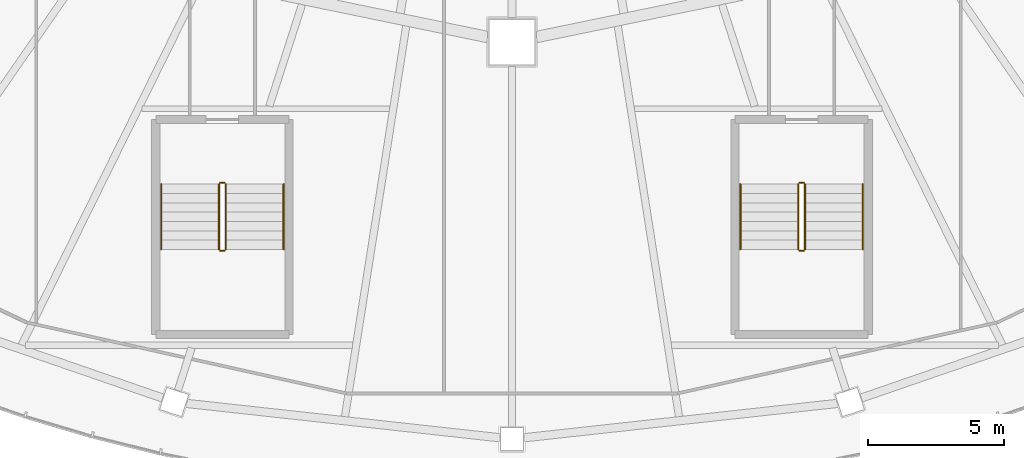
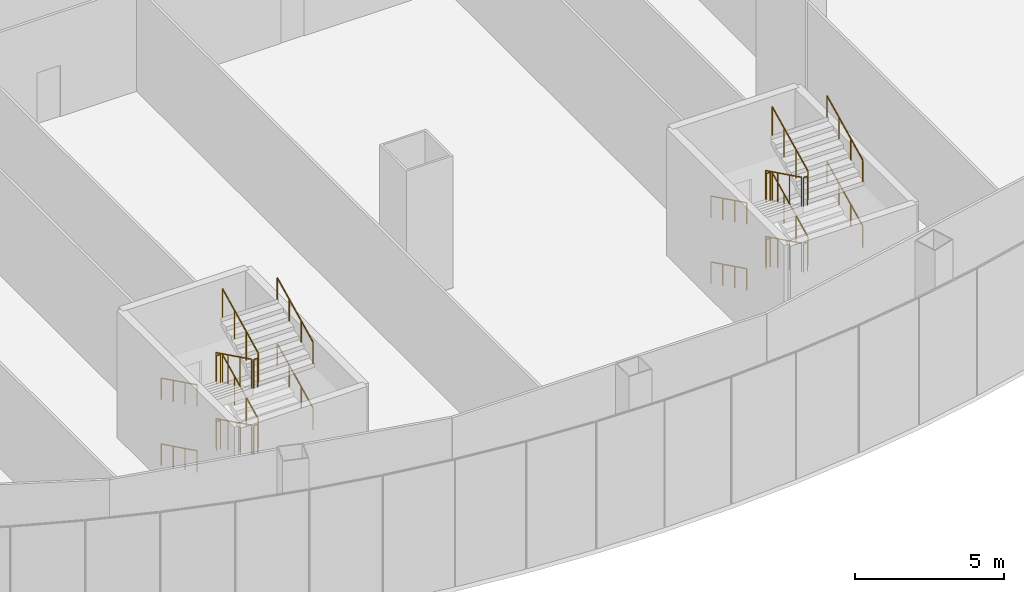
# One storey, part 40 of 42: 24 railings.
"""IFC4 building model written with IfcOpenShell, lengths in metres."""

import ifcopenshell
import ifcopenshell.guid

model = None  # the IFC model being written
_history = None  # IfcOwnerHistory: only IFC2X3 demands one
_inside = {}  # id of a spatial element -> (the spatial element, [elements in it])
_under = {}  # id of a project, library or spatial element -> (it, [spatial elements below it])
_declared = {}  # id of a project -> (the project, [libraries it declares])
_typed = {}  # id of a type object -> (the type object, [elements of that type])
_made_of = {}  # id of a material, layer set ... -> (it, [elements and type objects made of it])


def new_model(schema):
    """Start an empty IFC model of exactly this schema.

    Asked for "IFC4X3", IfcOpenShell would pick the latest addendum, in which some entities
    have other attributes; the version numbers below select the first issue.
    IFC2X3 requires an IfcOwnerHistory on every rooted entity: one is made here for all.
    """
    global model, _history
    if schema == "IFC4X3":
        model = ifcopenshell.file(schema_version=(4, 3, 0, 0))
    else:
        model = ifcopenshell.file(schema=schema)
    _inside.clear()
    _under.clear()
    _declared.clear()
    _typed.clear()
    _made_of.clear()
    _history = None
    if model.schema == "IFC2X3":
        org = make("IfcOrganization", Name="unknown")
        user = make(
            "IfcPersonAndOrganization",
            ThePerson=make("IfcPerson", FamilyName="unknown"),
            TheOrganization=org,
        )
        app = make(
            "IfcApplication",
            ApplicationDeveloper=org,
            Version="unknown",
            ApplicationFullName="unknown",
            ApplicationIdentifier="unknown",
        )
        _history = make(
            "IfcOwnerHistory",
            OwningUser=user,
            OwningApplication=app,
            ChangeAction="ADDED",
            CreationDate=0,
        )
    return model


def make(cls, **values):
    """One entity of the class cls with the attributes given. An attribute that is None is left unset."""
    return model.create_entity(
        cls, **{name: value for name, value in values.items() if value is not None}
    )


def rooted(cls, **values):
    """An entity with a GlobalId (a new one), such as an element, a storey or a relation."""
    return make(cls, GlobalId=ifcopenshell.guid.new(), OwnerHistory=_history, **values)


def si_unit(unit_type, name, prefix=None):
    """IfcSIUnit, for example si_unit("LENGTHUNIT", "METRE", prefix="MILLI")."""
    return make("IfcSIUnit", UnitType=unit_type, Prefix=prefix, Name=name)


def assignment(units):
    """IfcUnitAssignment: the units of a project."""
    return None if units is None else make("IfcUnitAssignment", Units=units)


def point(xyz):
    """IfcCartesianPoint."""
    return None if xyz is None else make("IfcCartesianPoint", Coordinates=xyz)


def direction(xyz):
    """IfcDirection."""
    return None if xyz is None else make("IfcDirection", DirectionRatios=xyz)


def frame(location, z_axis=None, x_axis=None):
    """IfcAxis2Placement3D, a coordinate frame: its origin and axes. An axis left out is left unset."""
    return make(
        "IfcAxis2Placement3D",
        Location=point(location),
        Axis=direction(z_axis),
        RefDirection=direction(x_axis),
    )


def frame_2d(location, x_axis=None):
    """IfcAxis2Placement2D, a coordinate frame in the plane: its origin and x axis."""
    return make(
        "IfcAxis2Placement2D", Location=point(location), RefDirection=direction(x_axis)
    )


def origin():
    """The frame at (0, 0, 0) with its axes left unset."""
    return frame((0.0, 0.0, 0.0))


def origin_2d():
    """The frame at (0, 0) in the plane with its x axis left unset."""
    return frame_2d((0.0, 0.0))


def place(relative_to, where):
    """IfcLocalPlacement: puts the frame where relative to a parent placement (None: the world)."""
    return make(
        "IfcLocalPlacement", PlacementRelTo=relative_to, RelativePlacement=where
    )


def context(
    kind, dimensions, precision=None, world=None, true_north=None, identifier=None
):
    """IfcGeometricRepresentationContext, for example the 3D "Model" context."""
    return make(
        "IfcGeometricRepresentationContext",
        ContextIdentifier=identifier,
        ContextType=kind,
        CoordinateSpaceDimension=dimensions,
        Precision=precision,
        WorldCoordinateSystem=world,
        TrueNorth=true_north,
    )


def subcontext(parent, identifier, kind, view, scale=None):
    """IfcGeometricRepresentationSubContext, for example "Body" below "Model"."""
    return make(
        "IfcGeometricRepresentationSubContext",
        ContextIdentifier=identifier,
        ContextType=kind,
        ParentContext=parent,
        TargetScale=scale,
        TargetView=view,
    )


def project(units=None, contexts=None):
    """IfcProject with its units and contexts."""
    return rooted(
        "IfcProject",
        Name="project",
        RepresentationContexts=contexts,
        UnitsInContext=assignment(units),
    )


def spatial(cls, under=None, at=None, **own):
    """A site, building, storey or space (cls), placed at a placement, below another one or the project."""
    s = rooted(cls, ObjectPlacement=at, **own)
    if under is not None:
        _under.setdefault(under.id(), (under, []))[1].append(s)
    return s


def profile(cls, at=None, kind="AREA", **sizes):
    """A parametric profile (cls). Its sizes go by their IFC names, for example OverallWidth=200.0."""
    return make(cls, ProfileType=kind, Position=at, **sizes)


def circle(**sizes):
    """IfcCircleProfileDef."""
    return profile("IfcCircleProfileDef", **sizes)


def extrude(swept, where, along, depth):
    """IfcExtrudedAreaSolid: the profile swept, set in the frame where, extruded along a direction by depth."""
    return make(
        "IfcExtrudedAreaSolid",
        SweptArea=swept,
        Position=where,
        ExtrudedDirection=direction(along),
        Depth=depth,
    )


def shape(context_of_items, identifier, shape_type, items):
    """IfcShapeRepresentation: the items that make up one representation, for example the "Body"."""
    return make(
        "IfcShapeRepresentation",
        ContextOfItems=context_of_items,
        RepresentationIdentifier=identifier,
        RepresentationType=shape_type,
        Items=items,
    )


def material(Name=None, Category=None):
    """IfcMaterial."""
    return make("IfcMaterial", Name=Name, Category=Category)


def made_of(thing, what):
    """Note that an element or type object is made of a material, layer set ...; save() writes the relation."""
    if what is not None:
        _made_of.setdefault(what.id(), (what, []))[1].append(thing)
    return thing


def type_object(cls, material=None, **own):
    """A type object (cls), such as IfcWallType, which elements share."""
    return made_of(rooted(cls, **own), material)


def element(
    cls,
    number,
    at=None,
    inside=None,
    cuts=None,
    type_object=None,
    material=None,
    context=None,
    identifier="Body",
    shape_type=None,
    held_by="IfcProductDefinitionShape",
    body=None,
    shapes=None,
    **own,
):
    """One element of the class cls, such as IfcWall. Its Tag is "e" and its number.

    at: its placement. inside: the storey or other place that contains it. cuts: it is an
    opening in that element (IfcRelVoidsElement). A single representation is given by context,
    identifier, shape_type and body (its items); several are given by shapes. held_by: the class
    of the entity that holds the representations. save() writes the other relations.
    """
    e = rooted(cls, Tag="e%d" % number, ObjectPlacement=at, **own)
    if body is not None:
        shapes = [shape(context, identifier, shape_type, body)]
    if shapes is not None:
        e.Representation = make(held_by, Representations=shapes)
    if inside is not None:
        _inside.setdefault(inside.id(), (inside, []))[1].append(e)
    if cuts is not None:
        rooted(
            "IfcRelVoidsElement", RelatingBuildingElement=cuts, RelatedOpeningElement=e
        )
    if type_object is not None:
        _typed.setdefault(type_object.id(), (type_object, []))[1].append(e)
    return made_of(e, material)


def aggregate(whole, parts):
    """IfcRelAggregates: a whole, such as a stair, and the parts it consists of."""
    return rooted("IfcRelAggregates", RelatingObject=whole, RelatedObjects=parts)


def save(model, path):
    """Write the relations noted so far, then the file.

    IfcRelAggregates (storeys below a building ...), IfcRelContainedInSpatialStructure (elements
    in a storey), IfcRelDefinesByType, IfcRelAssociatesMaterial and IfcRelDeclares: one each for
    every whole, place, type object, material and project.
    """
    for whole, parts in _under.values():
        aggregate(whole, parts)
    for where, things in _inside.values():
        rooted(
            "IfcRelContainedInSpatialStructure",
            RelatedElements=things,
            RelatingStructure=where,
        )
    for kind, things in _typed.values():
        rooted("IfcRelDefinesByType", RelatedObjects=things, RelatingType=kind)
    for what, things in _made_of.values():
        rooted("IfcRelAssociatesMaterial", RelatedObjects=things, RelatingMaterial=what)
    for by, libraries in _declared.values():
        rooted("IfcRelDeclares", RelatingContext=by, RelatedDefinitions=libraries)
    model.write(path)


model = new_model("IFC4")

# Units and contexts
model_context = context("Model", 3, precision=1e-05, world=origin(), true_north=direction((0.0, 1.0)))
body_context = subcontext(model_context, "Body", "Model", "MODEL_VIEW")
ifc_project = project(units=[si_unit("LENGTHUNIT", "METRE"), si_unit("AREAUNIT", "SQUARE_METRE"), si_unit("VOLUMEUNIT", "CUBIC_METRE"), si_unit("PLANEANGLEUNIT", "RADIAN"), si_unit("MASSUNIT", "GRAM", prefix="KILO")], contexts=[model_context])

# Site, building, storey
site_placement = place(None, origin())
site = spatial("IfcSite", under=ifc_project, at=site_placement, CompositionType="ELEMENT")
building_placement = place(site_placement, origin())
building = spatial("IfcBuilding", under=site, at=building_placement, Name="Sahrelin Media Tower", CompositionType="ELEMENT")
storey_placement = place(building_placement, frame((0.0, 0.0, 26.0)))
storey = spatial("IfcBuildingStorey", under=building, at=storey_placement, Name="L03", CompositionType="ELEMENT", Elevation=26.0)

# Railings
ifc_material = material(Name="Steel S355", Category="steel")
railing_type_1 = type_object("IfcRailingType", Name="Stair guard 1200", PredefinedType="GUARDRAIL", material=ifc_material)
railing_1_placement = place(storey_placement, frame((-10.77490234375, -30.625, 0.168701171875)))
element("IfcRailing", 1, at=railing_1_placement, inside=storey, type_object=railing_type_1, Name="L03 PS3 stair guard 1", PredefinedType="GUARDRAIL", context=body_context, shape_type="SweptSolid", body=[
    extrude(circle(Radius=0.02392578125, at=origin_2d()), frame((0.0, 0.0, 1.17578125), z_axis=(0.0, -0.897184586062, 0.441655769273), x_axis=(1.0, 0.0, 0.0)), (0.0, 0.0, 1.0), 2.6748046875),
    extrude(circle(Radius=0.02099609375, at=origin_2d()), origin(), (0.0, 0.0, 1.0), 1.15185546875),
    extrude(circle(Radius=0.02099609375, at=origin_2d()), frame((0.0, -0.800048828125, 0.393798828125)), (0.0, 0.0, 1.0), 1.15185546875),
    extrude(circle(Radius=0.02099609375, at=origin_2d()), frame((0.0, -1.599853515625, 0.78759765625)), (0.0, 0.0, 1.0), 1.15185546875),
    extrude(circle(Radius=0.02099609375, at=origin_2d()), frame((0.0, -2.39990234375, 1.181396484375)), (0.0, 0.0, 1.0), 1.15185546875),
])
railing_2_placement = place(storey_placement, frame((-10.72509765625, -33.074951171875, 1.35009765625)))
element("IfcRailing", 2, at=railing_2_placement, inside=storey, type_object=railing_type_1, Name="L03 PS3 stair guard 2", PredefinedType="GUARDRAIL", context=body_context, shape_type="SweptSolid", body=[
    extrude(circle(Radius=0.02392578125, at=origin_2d()), frame((0.0, 0.0, 1.17578125), z_axis=(1.0, 0.0, 0.0), x_axis=(0.0, 1.0, 0.0)), (0.0, 0.0, 1.0), 0.150146484375),
    extrude(circle(Radius=0.02099609375, at=origin_2d()), origin(), (0.0, 0.0, 1.0), 1.15185546875),
    extrude(circle(Radius=0.02099609375, at=origin_2d()), frame((0.150146484375, 0.0, 0.0)), (0.0, 0.0, 1.0), 1.15185546875),
])
railing_3_placement = place(storey_placement, frame((-10.52490234375, -33.02490234375, 1.518798828125)))
element("IfcRailing", 3, at=railing_3_placement, inside=storey, type_object=railing_type_1, Name="L03 PS3 stair guard 3", PredefinedType="GUARDRAIL", context=body_context, shape_type="SweptSolid", body=[
    extrude(circle(Radius=0.02392578125, at=origin_2d()), frame((0.0, 0.0, 1.17578125), z_axis=(0.0, 0.897220749972, 0.441582297901), x_axis=(-1.0, 0.0, 0.0)), (0.0, 0.0, 1.0), 2.6748046875),
    extrude(circle(Radius=0.02099609375, at=origin_2d()), origin(), (0.0, 0.0, 1.0), 1.15185546875),
    extrude(circle(Radius=0.02099609375, at=origin_2d()), frame((0.0, 0.800048828125, 0.393798828125)), (0.0, 0.0, 1.0), 1.15185546875),
    extrude(circle(Radius=0.02099609375, at=origin_2d()), frame((0.0, 1.599853515625, 0.787353515625)), (0.0, 0.0, 1.0), 1.15185546875),
    extrude(circle(Radius=0.02099609375, at=origin_2d()), frame((0.0, 2.39990234375, 1.18115234375)), (0.0, 0.0, 1.0), 1.15185546875),
])
railing_4_placement = place(storey_placement, frame((-10.72509765625, -30.574951171875, 2.699951171875)))
element("IfcRailing", 4, at=railing_4_placement, inside=storey, type_object=railing_type_1, Name="L03 PS3 stair guard 4", PredefinedType="GUARDRAIL", context=body_context, shape_type="SweptSolid", body=[
    extrude(circle(Radius=0.02392578125, at=origin_2d()), frame((0.0, 0.0, 1.17578125), z_axis=(1.0, 0.0, 0.0), x_axis=(0.0, 1.0, 0.0)), (0.0, 0.0, 1.0), 0.150146484375),
    extrude(circle(Radius=0.02099609375, at=origin_2d()), origin(), (0.0, 0.0, 1.0), 1.15185546875),
    extrude(circle(Radius=0.02099609375, at=origin_2d()), frame((0.150146484375, 0.0, 0.0)), (0.0, 0.0, 1.0), 1.15185546875),
])
railing_5_placement = place(storey_placement, frame((-10.77490234375, -30.625, 2.86865234375)))
element("IfcRailing", 5, at=railing_5_placement, inside=storey, type_object=railing_type_1, Name="L03 PS3 stair guard 5", PredefinedType="GUARDRAIL", context=body_context, shape_type="SweptSolid", body=[
    extrude(circle(Radius=0.02392578125, at=origin_2d()), frame((0.0, 0.0, 1.17578125), z_axis=(0.0, -0.897184586062, 0.441655769273), x_axis=(1.0, 0.0, 0.0)), (0.0, 0.0, 1.0), 2.6748046875),
    extrude(circle(Radius=0.02099609375, at=origin_2d()), origin(), (0.0, 0.0, 1.0), 1.15185546875),
    extrude(circle(Radius=0.02099609375, at=origin_2d()), frame((0.0, -0.800048828125, 0.393798828125)), (0.0, 0.0, 1.0), 1.15185546875),
    extrude(circle(Radius=0.02099609375, at=origin_2d()), frame((0.0, -1.599853515625, 0.78759765625)), (0.0, 0.0, 1.0), 1.15185546875),
    extrude(circle(Radius=0.02099609375, at=origin_2d()), frame((0.0, -2.39990234375, 1.181396484375)), (0.0, 0.0, 1.0), 1.15185546875),
])
railing_6_placement = place(storey_placement, frame((-10.72509765625, -33.074951171875, 4.050048828125)))
element("IfcRailing", 6, at=railing_6_placement, inside=storey, type_object=railing_type_1, Name="L03 PS3 stair guard 6", PredefinedType="GUARDRAIL", context=body_context, shape_type="SweptSolid", body=[
    extrude(circle(Radius=0.02392578125, at=origin_2d()), frame((0.0, 0.0, 1.17578125), z_axis=(1.0, 0.0, 0.0), x_axis=(0.0, 1.0, 0.0)), (0.0, 0.0, 1.0), 0.150146484375),
    extrude(circle(Radius=0.02099609375, at=origin_2d()), origin(), (0.0, 0.0, 1.0), 1.15185546875),
    extrude(circle(Radius=0.02099609375, at=origin_2d()), frame((0.150146484375, 0.0, 0.0)), (0.0, 0.0, 1.0), 1.15185546875),
])
railing_7_placement = place(storey_placement, frame((-10.52490234375, -33.02490234375, 4.21875)))
element("IfcRailing", 7, at=railing_7_placement, inside=storey, type_object=railing_type_1, Name="L03 PS3 stair guard 7", PredefinedType="GUARDRAIL", context=body_context, shape_type="SweptSolid", body=[
    extrude(circle(Radius=0.02392578125, at=origin_2d()), frame((0.0, 0.0, 1.17578125), z_axis=(0.0, 0.897220749972, 0.441582297901), x_axis=(-1.0, 0.0, 0.0)), (0.0, 0.0, 1.0), 2.6748046875),
    extrude(circle(Radius=0.02099609375, at=origin_2d()), origin(), (0.0, 0.0, 1.0), 1.15185546875),
    extrude(circle(Radius=0.02099609375, at=origin_2d()), frame((0.0, 0.800048828125, 0.393798828125)), (0.0, 0.0, 1.0), 1.15185546875),
    extrude(circle(Radius=0.02099609375, at=origin_2d()), frame((0.0, 1.599853515625, 0.787353515625)), (0.0, 0.0, 1.0), 1.15185546875),
    extrude(circle(Radius=0.02099609375, at=origin_2d()), frame((0.0, 2.39990234375, 1.18115234375)), (0.0, 0.0, 1.0), 1.15185546875),
])
railing_8_placement = place(storey_placement, frame((-10.72509765625, -30.574951171875, 0.0)))
element("IfcRailing", 8, at=railing_8_placement, inside=storey, type_object=railing_type_1, Name="L03 PS3 stair guard 8", PredefinedType="GUARDRAIL", context=body_context, shape_type="SweptSolid", body=[
    extrude(circle(Radius=0.02392578125, at=origin_2d()), frame((0.0, 0.0, 1.17578125), z_axis=(1.0, 0.0, 0.0), x_axis=(0.0, 1.0, 0.0)), (0.0, 0.0, 1.0), 0.150146484375),
    extrude(circle(Radius=0.02099609375, at=origin_2d()), origin(), (0.0, 0.0, 1.0), 1.15185546875),
    extrude(circle(Radius=0.02099609375, at=origin_2d()), frame((0.150146484375, 0.0, 0.0)), (0.0, 0.0, 1.0), 1.15185546875),
])
railing_9_placement = place(storey_placement, frame((10.52490234375, -30.625, 0.168701171875)))
element("IfcRailing", 9, at=railing_9_placement, inside=storey, type_object=railing_type_1, Name="L03 PS4 stair guard 1", PredefinedType="GUARDRAIL", context=body_context, shape_type="SweptSolid", body=[
    extrude(circle(Radius=0.02392578125, at=origin_2d()), frame((0.0, 0.0, 1.17578125), z_axis=(0.0, -0.897184586062, 0.441655769273), x_axis=(1.0, 0.0, 0.0)), (0.0, 0.0, 1.0), 2.6748046875),
    extrude(circle(Radius=0.02099609375, at=origin_2d()), origin(), (0.0, 0.0, 1.0), 1.15185546875),
    extrude(circle(Radius=0.02099609375, at=origin_2d()), frame((0.0, -0.800048828125, 0.393798828125)), (0.0, 0.0, 1.0), 1.15185546875),
    extrude(circle(Radius=0.02099609375, at=origin_2d()), frame((0.0, -1.599853515625, 0.78759765625)), (0.0, 0.0, 1.0), 1.15185546875),
    extrude(circle(Radius=0.02099609375, at=origin_2d()), frame((0.0, -2.39990234375, 1.181396484375)), (0.0, 0.0, 1.0), 1.15185546875),
])
railing_10_placement = place(storey_placement, frame((10.574951171875, -33.074951171875, 1.35009765625)))
element("IfcRailing", 10, at=railing_10_placement, inside=storey, type_object=railing_type_1, Name="L03 PS4 stair guard 2", PredefinedType="GUARDRAIL", context=body_context, shape_type="SweptSolid", body=[
    extrude(circle(Radius=0.02392578125, at=origin_2d()), frame((0.0, 0.0, 1.17578125), z_axis=(1.0, 0.0, 0.0), x_axis=(0.0, 1.0, 0.0)), (0.0, 0.0, 1.0), 0.150146484375),
    extrude(circle(Radius=0.02099609375, at=origin_2d()), origin(), (0.0, 0.0, 1.0), 1.15185546875),
    extrude(circle(Radius=0.02099609375, at=origin_2d()), frame((0.150146484375, 0.0, 0.0)), (0.0, 0.0, 1.0), 1.15185546875),
])
railing_11_placement = place(storey_placement, frame((10.77490234375, -33.02490234375, 1.518798828125)))
element("IfcRailing", 11, at=railing_11_placement, inside=storey, type_object=railing_type_1, Name="L03 PS4 stair guard 3", PredefinedType="GUARDRAIL", context=body_context, shape_type="SweptSolid", body=[
    extrude(circle(Radius=0.02392578125, at=origin_2d()), frame((0.0, 0.0, 1.17578125), z_axis=(0.0, 0.897220749972, 0.441582297901), x_axis=(-1.0, 0.0, 0.0)), (0.0, 0.0, 1.0), 2.6748046875),
    extrude(circle(Radius=0.02099609375, at=origin_2d()), origin(), (0.0, 0.0, 1.0), 1.15185546875),
    extrude(circle(Radius=0.02099609375, at=origin_2d()), frame((0.0, 0.800048828125, 0.393798828125)), (0.0, 0.0, 1.0), 1.15185546875),
    extrude(circle(Radius=0.02099609375, at=origin_2d()), frame((0.0, 1.599853515625, 0.787353515625)), (0.0, 0.0, 1.0), 1.15185546875),
    extrude(circle(Radius=0.02099609375, at=origin_2d()), frame((0.0, 2.39990234375, 1.18115234375)), (0.0, 0.0, 1.0), 1.15185546875),
])
railing_12_placement = place(storey_placement, frame((10.574951171875, -30.574951171875, 2.699951171875)))
element("IfcRailing", 12, at=railing_12_placement, inside=storey, type_object=railing_type_1, Name="L03 PS4 stair guard 4", PredefinedType="GUARDRAIL", context=body_context, shape_type="SweptSolid", body=[
    extrude(circle(Radius=0.02392578125, at=origin_2d()), frame((0.0, 0.0, 1.17578125), z_axis=(1.0, 0.0, 0.0), x_axis=(0.0, 1.0, 0.0)), (0.0, 0.0, 1.0), 0.150146484375),
    extrude(circle(Radius=0.02099609375, at=origin_2d()), origin(), (0.0, 0.0, 1.0), 1.15185546875),
    extrude(circle(Radius=0.02099609375, at=origin_2d()), frame((0.150146484375, 0.0, 0.0)), (0.0, 0.0, 1.0), 1.15185546875),
])
railing_13_placement = place(storey_placement, frame((10.52490234375, -30.625, 2.86865234375)))
element("IfcRailing", 13, at=railing_13_placement, inside=storey, type_object=railing_type_1, Name="L03 PS4 stair guard 5", PredefinedType="GUARDRAIL", context=body_context, shape_type="SweptSolid", body=[
    extrude(circle(Radius=0.02392578125, at=origin_2d()), frame((0.0, 0.0, 1.17578125), z_axis=(0.0, -0.897184586062, 0.441655769273), x_axis=(1.0, 0.0, 0.0)), (0.0, 0.0, 1.0), 2.6748046875),
    extrude(circle(Radius=0.02099609375, at=origin_2d()), origin(), (0.0, 0.0, 1.0), 1.15185546875),
    extrude(circle(Radius=0.02099609375, at=origin_2d()), frame((0.0, -0.800048828125, 0.393798828125)), (0.0, 0.0, 1.0), 1.15185546875),
    extrude(circle(Radius=0.02099609375, at=origin_2d()), frame((0.0, -1.599853515625, 0.78759765625)), (0.0, 0.0, 1.0), 1.15185546875),
    extrude(circle(Radius=0.02099609375, at=origin_2d()), frame((0.0, -2.39990234375, 1.181396484375)), (0.0, 0.0, 1.0), 1.15185546875),
])
railing_14_placement = place(storey_placement, frame((10.574951171875, -33.074951171875, 4.050048828125)))
element("IfcRailing", 14, at=railing_14_placement, inside=storey, type_object=railing_type_1, Name="L03 PS4 stair guard 6", PredefinedType="GUARDRAIL", context=body_context, shape_type="SweptSolid", body=[
    extrude(circle(Radius=0.02392578125, at=origin_2d()), frame((0.0, 0.0, 1.17578125), z_axis=(1.0, 0.0, 0.0), x_axis=(0.0, 1.0, 0.0)), (0.0, 0.0, 1.0), 0.150146484375),
    extrude(circle(Radius=0.02099609375, at=origin_2d()), origin(), (0.0, 0.0, 1.0), 1.15185546875),
    extrude(circle(Radius=0.02099609375, at=origin_2d()), frame((0.150146484375, 0.0, 0.0)), (0.0, 0.0, 1.0), 1.15185546875),
])
railing_15_placement = place(storey_placement, frame((10.77490234375, -33.02490234375, 4.21875)))
element("IfcRailing", 15, at=railing_15_placement, inside=storey, type_object=railing_type_1, Name="L03 PS4 stair guard 7", PredefinedType="GUARDRAIL", context=body_context, shape_type="SweptSolid", body=[
    extrude(circle(Radius=0.02392578125, at=origin_2d()), frame((0.0, 0.0, 1.17578125), z_axis=(0.0, 0.897220749972, 0.441582297901), x_axis=(-1.0, 0.0, 0.0)), (0.0, 0.0, 1.0), 2.6748046875),
    extrude(circle(Radius=0.02099609375, at=origin_2d()), origin(), (0.0, 0.0, 1.0), 1.15185546875),
    extrude(circle(Radius=0.02099609375, at=origin_2d()), frame((0.0, 0.800048828125, 0.393798828125)), (0.0, 0.0, 1.0), 1.15185546875),
    extrude(circle(Radius=0.02099609375, at=origin_2d()), frame((0.0, 1.599853515625, 0.787353515625)), (0.0, 0.0, 1.0), 1.15185546875),
    extrude(circle(Radius=0.02099609375, at=origin_2d()), frame((0.0, 2.39990234375, 1.18115234375)), (0.0, 0.0, 1.0), 1.15185546875),
])
railing_16_placement = place(storey_placement, frame((10.574951171875, -30.574951171875, 0.0)))
element("IfcRailing", 16, at=railing_16_placement, inside=storey, type_object=railing_type_1, Name="L03 PS4 stair guard 8", PredefinedType="GUARDRAIL", context=body_context, shape_type="SweptSolid", body=[
    extrude(circle(Radius=0.02392578125, at=origin_2d()), frame((0.0, 0.0, 1.17578125), z_axis=(1.0, 0.0, 0.0), x_axis=(0.0, 1.0, 0.0)), (0.0, 0.0, 1.0), 0.150146484375),
    extrude(circle(Radius=0.02099609375, at=origin_2d()), origin(), (0.0, 0.0, 1.0), 1.15185546875),
    extrude(circle(Radius=0.02099609375, at=origin_2d()), frame((0.150146484375, 0.0, 0.0)), (0.0, 0.0, 1.0), 1.15185546875),
])
railing_type_2 = type_object("IfcRailingType", Name="Stair handrail 900", PredefinedType="HANDRAIL", material=ifc_material)
railing_17_placement = place(storey_placement, frame((-12.89990234375, -30.625, 0.168701171875)))
element("IfcRailing", 17, at=railing_17_placement, inside=storey, type_object=railing_type_2, Name="L03 PS3 stair handrail 1", PredefinedType="HANDRAIL", context=body_context, shape_type="SweptSolid", body=[
    extrude(circle(Radius=0.02392578125, at=origin_2d()), frame((0.0, 0.0, 0.8759765625), z_axis=(0.0, -0.897184586062, 0.441655769273), x_axis=(1.0, 0.0, 0.0)), (0.0, 0.0, 1.0), 2.6748046875),
    extrude(circle(Radius=0.02099609375, at=origin_2d()), origin(), (0.0, 0.0, 1.0), 0.851806640625),
    extrude(circle(Radius=0.02099609375, at=origin_2d()), frame((0.0, -0.800048828125, 0.393798828125)), (0.0, 0.0, 1.0), 0.851806640625),
    extrude(circle(Radius=0.02099609375, at=origin_2d()), frame((0.0, -1.599853515625, 0.78759765625)), (0.0, 0.0, 1.0), 0.851806640625),
    extrude(circle(Radius=0.02099609375, at=origin_2d()), frame((0.0, -2.39990234375, 1.181396484375)), (0.0, 0.0, 1.0), 0.851806640625),
])
railing_18_placement = place(storey_placement, frame((-8.39990234375, -33.02490234375, 1.518798828125)))
element("IfcRailing", 18, at=railing_18_placement, inside=storey, type_object=railing_type_2, Name="L03 PS3 stair handrail 2", PredefinedType="HANDRAIL", context=body_context, shape_type="SweptSolid", body=[
    extrude(circle(Radius=0.02392578125, at=origin_2d()), frame((0.0, 0.0, 0.8759765625), z_axis=(0.0, 0.897220749972, 0.441582297901), x_axis=(-1.0, 0.0, 0.0)), (0.0, 0.0, 1.0), 2.6748046875),
    extrude(circle(Radius=0.02099609375, at=origin_2d()), origin(), (0.0, 0.0, 1.0), 0.851806640625),
    extrude(circle(Radius=0.02099609375, at=origin_2d()), frame((0.0, 0.800048828125, 0.393798828125)), (0.0, 0.0, 1.0), 0.851806640625),
    extrude(circle(Radius=0.02099609375, at=origin_2d()), frame((0.0, 1.599853515625, 0.787353515625)), (0.0, 0.0, 1.0), 0.851806640625),
    extrude(circle(Radius=0.02099609375, at=origin_2d()), frame((0.0, 2.39990234375, 1.18115234375)), (0.0, 0.0, 1.0), 0.851806640625),
])
railing_19_placement = place(storey_placement, frame((-12.89990234375, -30.625, 2.86865234375)))
element("IfcRailing", 19, at=railing_19_placement, inside=storey, type_object=railing_type_2, Name="L03 PS3 stair handrail 3", PredefinedType="HANDRAIL", context=body_context, shape_type="SweptSolid", body=[
    extrude(circle(Radius=0.02392578125, at=origin_2d()), frame((0.0, 0.0, 0.8759765625), z_axis=(0.0, -0.897184586062, 0.441655769273), x_axis=(1.0, 0.0, 0.0)), (0.0, 0.0, 1.0), 2.6748046875),
    extrude(circle(Radius=0.02099609375, at=origin_2d()), origin(), (0.0, 0.0, 1.0), 0.851806640625),
    extrude(circle(Radius=0.02099609375, at=origin_2d()), frame((0.0, -0.800048828125, 0.393798828125)), (0.0, 0.0, 1.0), 0.851806640625),
    extrude(circle(Radius=0.02099609375, at=origin_2d()), frame((0.0, -1.599853515625, 0.78759765625)), (0.0, 0.0, 1.0), 0.851806640625),
    extrude(circle(Radius=0.02099609375, at=origin_2d()), frame((0.0, -2.39990234375, 1.181396484375)), (0.0, 0.0, 1.0), 0.851806640625),
])
railing_20_placement = place(storey_placement, frame((-8.39990234375, -33.02490234375, 4.21875)))
element("IfcRailing", 20, at=railing_20_placement, inside=storey, type_object=railing_type_2, Name="L03 PS3 stair handrail 4", PredefinedType="HANDRAIL", context=body_context, shape_type="SweptSolid", body=[
    extrude(circle(Radius=0.02392578125, at=origin_2d()), frame((0.0, 0.0, 0.8759765625), z_axis=(0.0, 0.897220749972, 0.441582297901), x_axis=(-1.0, 0.0, 0.0)), (0.0, 0.0, 1.0), 2.6748046875),
    extrude(circle(Radius=0.02099609375, at=origin_2d()), origin(), (0.0, 0.0, 1.0), 0.851806640625),
    extrude(circle(Radius=0.02099609375, at=origin_2d()), frame((0.0, 0.800048828125, 0.393798828125)), (0.0, 0.0, 1.0), 0.851806640625),
    extrude(circle(Radius=0.02099609375, at=origin_2d()), frame((0.0, 1.599853515625, 0.787353515625)), (0.0, 0.0, 1.0), 0.851806640625),
    extrude(circle(Radius=0.02099609375, at=origin_2d()), frame((0.0, 2.39990234375, 1.18115234375)), (0.0, 0.0, 1.0), 0.851806640625),
])
railing_21_placement = place(storey_placement, frame((8.39990234375, -30.625, 0.168701171875)))
element("IfcRailing", 21, at=railing_21_placement, inside=storey, type_object=railing_type_2, Name="L03 PS4 stair handrail 1", PredefinedType="HANDRAIL", context=body_context, shape_type="SweptSolid", body=[
    extrude(circle(Radius=0.02392578125, at=origin_2d()), frame((0.0, 0.0, 0.8759765625), z_axis=(0.0, -0.897184586062, 0.441655769273), x_axis=(1.0, 0.0, 0.0)), (0.0, 0.0, 1.0), 2.6748046875),
    extrude(circle(Radius=0.02099609375, at=origin_2d()), origin(), (0.0, 0.0, 1.0), 0.851806640625),
    extrude(circle(Radius=0.02099609375, at=origin_2d()), frame((0.0, -0.800048828125, 0.393798828125)), (0.0, 0.0, 1.0), 0.851806640625),
    extrude(circle(Radius=0.02099609375, at=origin_2d()), frame((0.0, -1.599853515625, 0.78759765625)), (0.0, 0.0, 1.0), 0.851806640625),
    extrude(circle(Radius=0.02099609375, at=origin_2d()), frame((0.0, -2.39990234375, 1.181396484375)), (0.0, 0.0, 1.0), 0.851806640625),
])
railing_22_placement = place(storey_placement, frame((12.89990234375, -33.02490234375, 1.518798828125)))
element("IfcRailing", 22, at=railing_22_placement, inside=storey, type_object=railing_type_2, Name="L03 PS4 stair handrail 2", PredefinedType="HANDRAIL", context=body_context, shape_type="SweptSolid", body=[
    extrude(circle(Radius=0.02392578125, at=origin_2d()), frame((0.0, 0.0, 0.8759765625), z_axis=(0.0, 0.897220749972, 0.441582297901), x_axis=(-1.0, 0.0, 0.0)), (0.0, 0.0, 1.0), 2.6748046875),
    extrude(circle(Radius=0.02099609375, at=origin_2d()), origin(), (0.0, 0.0, 1.0), 0.851806640625),
    extrude(circle(Radius=0.02099609375, at=origin_2d()), frame((0.0, 0.800048828125, 0.393798828125)), (0.0, 0.0, 1.0), 0.851806640625),
    extrude(circle(Radius=0.02099609375, at=origin_2d()), frame((0.0, 1.599853515625, 0.787353515625)), (0.0, 0.0, 1.0), 0.851806640625),
    extrude(circle(Radius=0.02099609375, at=origin_2d()), frame((0.0, 2.39990234375, 1.18115234375)), (0.0, 0.0, 1.0), 0.851806640625),
])
railing_23_placement = place(storey_placement, frame((8.39990234375, -30.625, 2.86865234375)))
element("IfcRailing", 23, at=railing_23_placement, inside=storey, type_object=railing_type_2, Name="L03 PS4 stair handrail 3", PredefinedType="HANDRAIL", context=body_context, shape_type="SweptSolid", body=[
    extrude(circle(Radius=0.02392578125, at=origin_2d()), frame((0.0, 0.0, 0.8759765625), z_axis=(0.0, -0.897184586062, 0.441655769273), x_axis=(1.0, 0.0, 0.0)), (0.0, 0.0, 1.0), 2.6748046875),
    extrude(circle(Radius=0.02099609375, at=origin_2d()), origin(), (0.0, 0.0, 1.0), 0.851806640625),
    extrude(circle(Radius=0.02099609375, at=origin_2d()), frame((0.0, -0.800048828125, 0.393798828125)), (0.0, 0.0, 1.0), 0.851806640625),
    extrude(circle(Radius=0.02099609375, at=origin_2d()), frame((0.0, -1.599853515625, 0.78759765625)), (0.0, 0.0, 1.0), 0.851806640625),
    extrude(circle(Radius=0.02099609375, at=origin_2d()), frame((0.0, -2.39990234375, 1.181396484375)), (0.0, 0.0, 1.0), 0.851806640625),
])
railing_24_placement = place(storey_placement, frame((12.89990234375, -33.02490234375, 4.21875)))
element("IfcRailing", 24, at=railing_24_placement, inside=storey, type_object=railing_type_2, Name="L03 PS4 stair handrail 4", PredefinedType="HANDRAIL", context=body_context, shape_type="SweptSolid", body=[
    extrude(circle(Radius=0.02392578125, at=origin_2d()), frame((0.0, 0.0, 0.8759765625), z_axis=(0.0, 0.897220749972, 0.441582297901), x_axis=(-1.0, 0.0, 0.0)), (0.0, 0.0, 1.0), 2.6748046875),
    extrude(circle(Radius=0.02099609375, at=origin_2d()), origin(), (0.0, 0.0, 1.0), 0.851806640625),
    extrude(circle(Radius=0.02099609375, at=origin_2d()), frame((0.0, 0.800048828125, 0.393798828125)), (0.0, 0.0, 1.0), 0.851806640625),
    extrude(circle(Radius=0.02099609375, at=origin_2d()), frame((0.0, 1.599853515625, 0.787353515625)), (0.0, 0.0, 1.0), 0.851806640625),
    extrude(circle(Radius=0.02099609375, at=origin_2d()), frame((0.0, 2.39990234375, 1.18115234375)), (0.0, 0.0, 1.0), 0.851806640625),
])

save(model, "model.ifc")
